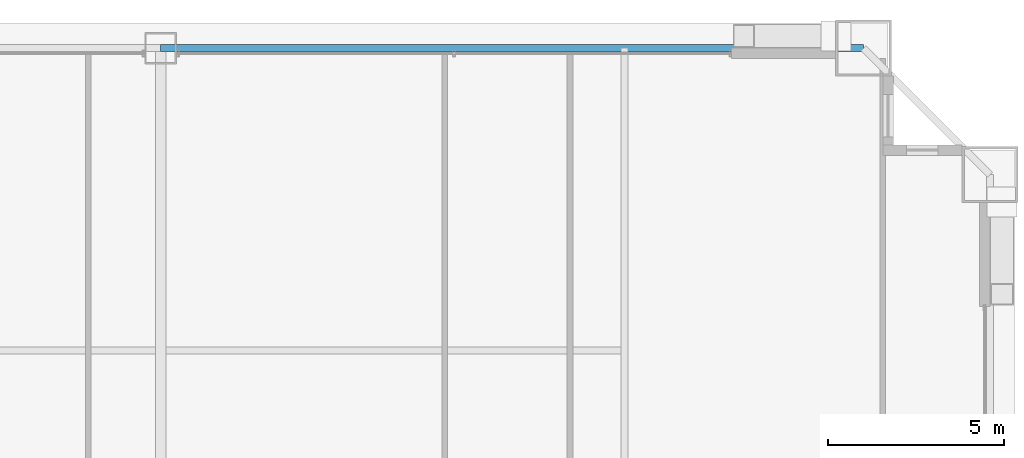
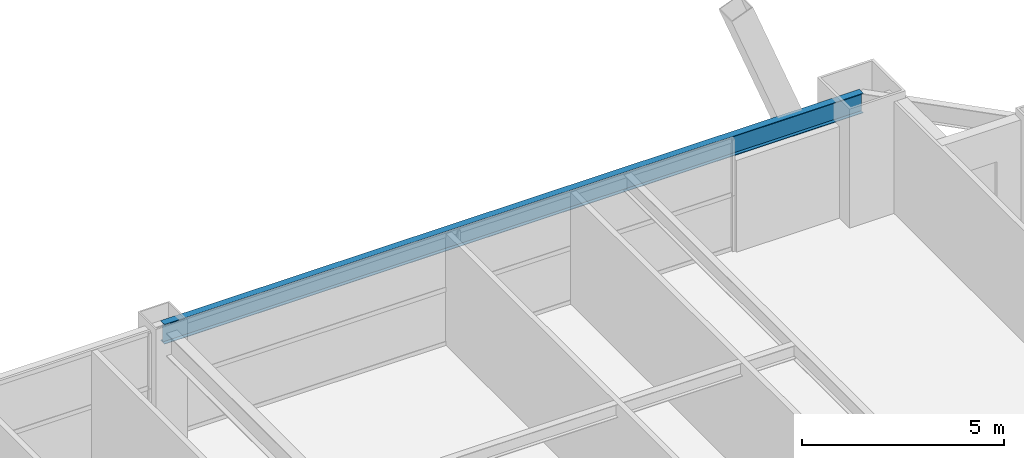
# One storey, part 34 of 41: 1 beam.
"""IFC4 building model written with IfcOpenShell, lengths in metres."""

from ifc_helpers import new_model, si_unit, direction, frame, origin, origin_2d, place, context, subcontext, project, spatial, i_section, extrude, source, transform, mapped, material, material_profile, profile_set, type_object, element, save


model = new_model("IFC4")

# Units and contexts
model_context = context("Model", 3, precision=1e-05, world=origin(), true_north=direction((0.0, 1.0)))
body_context = subcontext(model_context, "Body", "Model", "MODEL_VIEW")
ifc_project = project(units=[si_unit("LENGTHUNIT", "METRE"), si_unit("AREAUNIT", "SQUARE_METRE"), si_unit("VOLUMEUNIT", "CUBIC_METRE"), si_unit("PLANEANGLEUNIT", "RADIAN"), si_unit("MASSUNIT", "GRAM", prefix="KILO"), si_unit("THERMODYNAMICTEMPERATUREUNIT", "KELVIN"), si_unit("POWERUNIT", "WATT")], contexts=[model_context])

# Site, building, storey
site_placement = place(None, origin())
site = spatial("IfcSite", under=ifc_project, at=site_placement, CompositionType="ELEMENT")
building_placement = place(site_placement, origin())
building = spatial("IfcBuilding", under=site, at=building_placement, Name="Yuzanri Waterfront Tower", CompositionType="ELEMENT")
storey_placement = place(building_placement, frame((0.0, 0.0, 115.39990234375)))
storey = spatial("IfcBuildingStorey", under=building, at=storey_placement, Name="L30", CompositionType="ELEMENT", Elevation=115.39990234375)

# Beam
ifc_material = material(Name="Steel Q355B", Category="steel")
ifc_material_profile = material_profile(ifc_material, i_section(OverallWidth=0.199951171875, OverallDepth=0.60009765625, WebThickness=0.010986328125, FlangeThickness=0.01708984375, at=origin_2d()), Name="HN 600x200x11x17")
ifc_profile_set = profile_set([ifc_material_profile], Name="Steel Q355B")
beam_type = type_object("IfcBeamType", Name="Perimeter Spandrel Q355B HN 600x200", PredefinedType="SPANDREL", material=ifc_profile_set)
shared_shape = source(origin(), body_context, "Body", "SweptSolid", [
    extrude(i_section(OverallWidth=0.199951171875, OverallDepth=0.60009765625, WebThickness=0.010986328125, FlangeThickness=0.01708984375, at=origin_2d()), origin(), (0.0, 0.0, 1.0), 20.0),
])
beam_placement = place(storey_placement, frame((57.0, 49.39990234375, 3.080078125), z_axis=(-1.0, 0.0, 0.0), x_axis=(0.0, -1.0, 0.0)))
element("IfcBeam", 1, at=beam_placement, inside=storey, type_object=beam_type, Name="L30 Perimeter Spandrel N3-N2", PredefinedType="SPANDREL", context=body_context, shape_type="MappedRepresentation", body=[
    mapped(shared_shape, transform((0.0, 0.0, 0.0), scale=1.0)),
])

save(model, "model.ifc")
